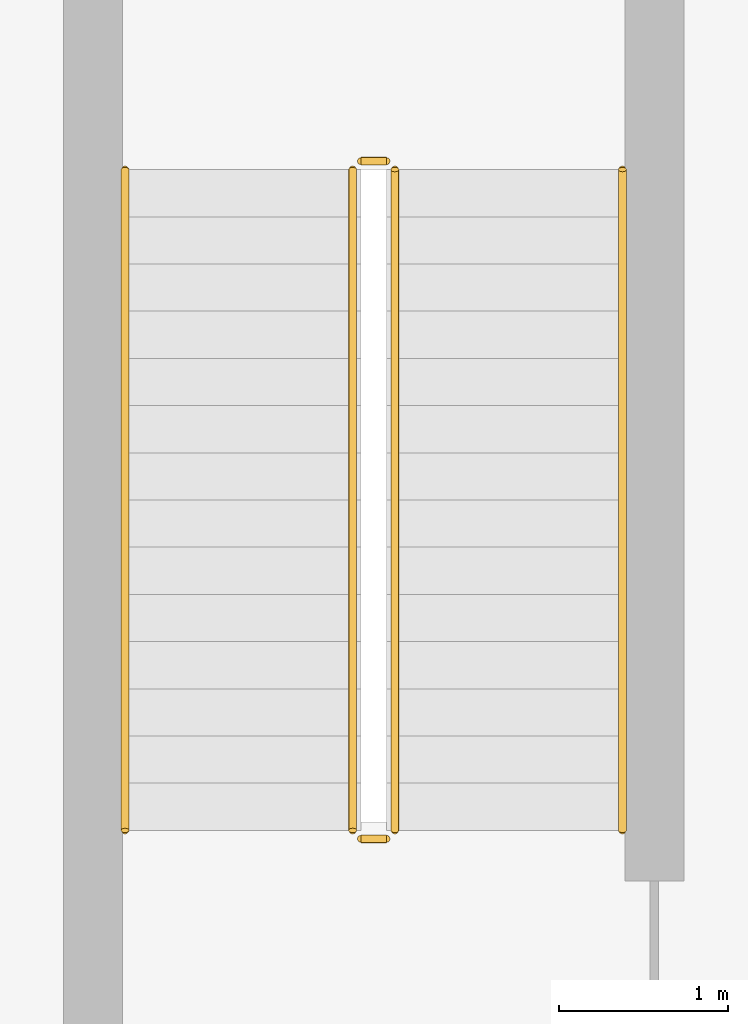
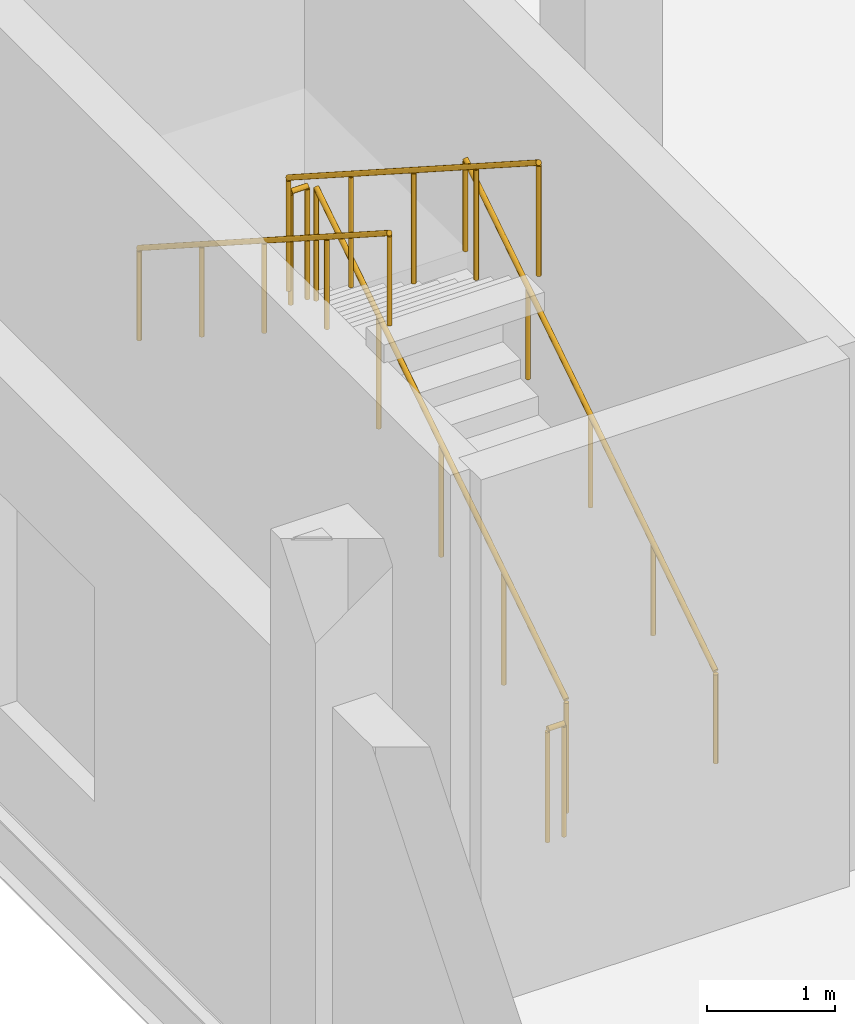
# One storey, part 145 of 147: 6 railings.
"""IFC4 building model written with IfcOpenShell, lengths in metres."""

from ifc_helpers import new_model, si_unit, direction, frame, origin, origin_2d, place, context, subcontext, project, spatial, circle, extrude, material, type_object, element, save


model = new_model("IFC4")

# Units and contexts
model_context = context("Model", 3, precision=1e-05, world=origin(), true_north=direction((0.0, 1.0)))
body_context = subcontext(model_context, "Body", "Model", "MODEL_VIEW")
ifc_project = project(units=[si_unit("LENGTHUNIT", "METRE"), si_unit("AREAUNIT", "SQUARE_METRE"), si_unit("VOLUMEUNIT", "CUBIC_METRE"), si_unit("PLANEANGLEUNIT", "RADIAN"), si_unit("MASSUNIT", "GRAM", prefix="KILO")], contexts=[model_context])

# Site, building, storey
site_placement = place(None, origin())
site = spatial("IfcSite", under=ifc_project, at=site_placement, CompositionType="ELEMENT")
building_placement = place(site_placement, origin())
building = spatial("IfcBuilding", under=site, at=building_placement, Name="Sundgate Opera House", CompositionType="ELEMENT")
storey_placement = place(building_placement, frame((0.0, 0.0, 6.0)))
storey = spatial("IfcBuildingStorey", under=building, at=storey_placement, Name="L01", CompositionType="ELEMENT", Elevation=6.0)

# Railings
ifc_material_1 = material(Name="Painted steel S275 guardrail", Category="steel")
railing_type_1 = type_object("IfcRailingType", Name="RL-STAIR-GUARD-1100", PredefinedType="GUARDRAIL", material=ifc_material_1)
railing_1_placement = place(storey_placement, frame((98.85009765625, 89.300048828125, 0.179931640625)))
element("IfcRailing", 1, at=railing_1_placement, inside=storey, type_object=railing_type_1, Name="ST05L01 Guardrail RL0188", PredefinedType="GUARDRAIL", context=body_context, shape_type="SweptSolid", body=[
    extrude(circle(Radius=0.02392578125, at=origin_2d()), frame((0.0, 0.0, 1.076171875), z_axis=(0.0, 0.841171666519, 0.540768182723), x_axis=(-1.0, 0.0, 0.0)), (0.0, 0.0, 1.0), 4.66015625),
    extrude(circle(Radius=0.02099609375, at=origin_2d()), origin(), (0.0, 0.0, 1.0), 1.052001953125),
    extrude(circle(Radius=0.02099609375, at=origin_2d()), frame((0.0, 0.97998046875, 0.6298828125)), (0.0, 0.0, 1.0), 1.052001953125),
    extrude(circle(Radius=0.02099609375, at=origin_2d()), frame((0.0, 1.9599609375, 1.260009765625)), (0.0, 0.0, 1.0), 1.052001953125),
    extrude(circle(Radius=0.02099609375, at=origin_2d()), frame((0.0, 2.93994140625, 1.89013671875)), (0.0, 0.0, 1.0), 1.052001953125),
    extrude(circle(Radius=0.02099609375, at=origin_2d()), frame((0.0, 3.919921875, 2.52001953125)), (0.0, 0.0, 1.0), 1.052001953125),
])
railing_2_placement = place(storey_placement, frame((98.800048828125, 93.27001953125, 2.699951171875)))
element("IfcRailing", 2, at=railing_2_placement, inside=storey, type_object=railing_type_1, Name="ST05L01 Guardrail RL0189", PredefinedType="GUARDRAIL", context=body_context, shape_type="SweptSolid", body=[
    extrude(circle(Radius=0.02392578125, at=origin_2d()), frame((0.0, 0.0, 1.076171875), z_axis=(-1.0, 0.0, 0.0), x_axis=(0.0, -1.0, 0.0)), (0.0, 0.0, 1.0), 0.150146484375),
    extrude(circle(Radius=0.02099609375, at=origin_2d()), origin(), (0.0, 0.0, 1.0), 1.052001953125),
    extrude(circle(Radius=0.02099609375, at=origin_2d()), frame((-0.150146484375, 0.0, 0.0)), (0.0, 0.0, 1.0), 1.052001953125),
])
railing_3_placement = place(storey_placement, frame((98.60009765625, 93.219970703125, 2.8798828125)))
element("IfcRailing", 3, at=railing_3_placement, inside=storey, type_object=railing_type_1, Name="ST05L01 Guardrail RL0190", PredefinedType="GUARDRAIL", context=body_context, shape_type="SweptSolid", body=[
    extrude(circle(Radius=0.02392578125, at=origin_2d()), frame((0.0, 0.0, 1.076171875), z_axis=(0.0, -0.841171666519, 0.540768182723), x_axis=(1.0, 0.0, 0.0)), (0.0, 0.0, 1.0), 4.66015625),
    extrude(circle(Radius=0.02099609375, at=origin_2d()), origin(), (0.0, 0.0, 1.0), 1.052001953125),
    extrude(circle(Radius=0.02099609375, at=origin_2d()), frame((0.0, -0.97998046875, 0.6298828125)), (0.0, 0.0, 1.0), 1.052001953125),
    extrude(circle(Radius=0.02099609375, at=origin_2d()), frame((0.0, -1.9599609375, 1.260009765625)), (0.0, 0.0, 1.0), 1.052001953125),
    extrude(circle(Radius=0.02099609375, at=origin_2d()), frame((0.0, -2.93994140625, 1.89013671875)), (0.0, 0.0, 1.0), 1.052001953125),
    extrude(circle(Radius=0.02099609375, at=origin_2d()), frame((0.0, -3.919921875, 2.52001953125)), (0.0, 0.0, 1.0), 1.052001953125),
])
railing_4_placement = place(storey_placement, frame((98.800048828125, 89.25, 0.0)))
element("IfcRailing", 4, at=railing_4_placement, inside=storey, type_object=railing_type_1, Name="ST05L01 Guardrail RL0191", PredefinedType="GUARDRAIL", context=body_context, shape_type="SweptSolid", body=[
    extrude(circle(Radius=0.02392578125, at=origin_2d()), frame((0.0, 0.0, 1.076171875), z_axis=(-1.0, 0.0, 0.0), x_axis=(0.0, -1.0, 0.0)), (0.0, 0.0, 1.0), 0.150146484375),
    extrude(circle(Radius=0.02099609375, at=origin_2d()), origin(), (0.0, 0.0, 1.0), 1.052001953125),
    extrude(circle(Radius=0.02099609375, at=origin_2d()), frame((-0.150146484375, 0.0, 0.0)), (0.0, 0.0, 1.0), 1.052001953125),
])
ifc_material_2 = material(Name="Brushed stainless steel handrail", Category="steel")
railing_type_2 = type_object("IfcRailingType", Name="RL-STAIR-HAND-900", PredefinedType="HANDRAIL", material=ifc_material_2)
railing_5_placement = place(storey_placement, frame((100.199951171875, 89.300048828125, 0.179931640625)))
element("IfcRailing", 5, at=railing_5_placement, inside=storey, type_object=railing_type_2, Name="ST05L01 Handrail RL0192", PredefinedType="HANDRAIL", context=body_context, shape_type="SweptSolid", body=[
    extrude(circle(Radius=0.02392578125, at=origin_2d()), frame((0.0, 0.0, 0.8759765625), z_axis=(0.0, 0.841171666519, 0.540768182723), x_axis=(-1.0, 0.0, 0.0)), (0.0, 0.0, 1.0), 4.66015625),
    extrude(circle(Radius=0.02099609375, at=origin_2d()), origin(), (0.0, 0.0, 1.0), 0.851806640625),
    extrude(circle(Radius=0.02099609375, at=origin_2d()), frame((0.0, 0.97998046875, 0.6298828125)), (0.0, 0.0, 1.0), 0.851806640625),
    extrude(circle(Radius=0.02099609375, at=origin_2d()), frame((0.0, 1.9599609375, 1.260009765625)), (0.0, 0.0, 1.0), 0.851806640625),
    extrude(circle(Radius=0.02099609375, at=origin_2d()), frame((0.0, 2.93994140625, 1.89013671875)), (0.0, 0.0, 1.0), 0.851806640625),
    extrude(circle(Radius=0.02099609375, at=origin_2d()), frame((0.0, 3.919921875, 2.52001953125)), (0.0, 0.0, 1.0), 0.851806640625),
])
railing_6_placement = place(storey_placement, frame((97.25, 93.219970703125, 2.8798828125)))
element("IfcRailing", 6, at=railing_6_placement, inside=storey, type_object=railing_type_2, Name="ST05L01 Handrail RL0193", PredefinedType="HANDRAIL", context=body_context, shape_type="SweptSolid", body=[
    extrude(circle(Radius=0.02392578125, at=origin_2d()), frame((0.0, 0.0, 0.8759765625), z_axis=(0.0, -0.841171666519, 0.540768182723), x_axis=(1.0, 0.0, 0.0)), (0.0, 0.0, 1.0), 4.66015625),
    extrude(circle(Radius=0.02099609375, at=origin_2d()), origin(), (0.0, 0.0, 1.0), 0.851806640625),
    extrude(circle(Radius=0.02099609375, at=origin_2d()), frame((0.0, -0.97998046875, 0.6298828125)), (0.0, 0.0, 1.0), 0.851806640625),
    extrude(circle(Radius=0.02099609375, at=origin_2d()), frame((0.0, -1.9599609375, 1.260009765625)), (0.0, 0.0, 1.0), 0.851806640625),
    extrude(circle(Radius=0.02099609375, at=origin_2d()), frame((0.0, -2.93994140625, 1.89013671875)), (0.0, 0.0, 1.0), 0.851806640625),
    extrude(circle(Radius=0.02099609375, at=origin_2d()), frame((0.0, -3.919921875, 2.52001953125)), (0.0, 0.0, 1.0), 0.851806640625),
])

save(model, "model.ifc")
